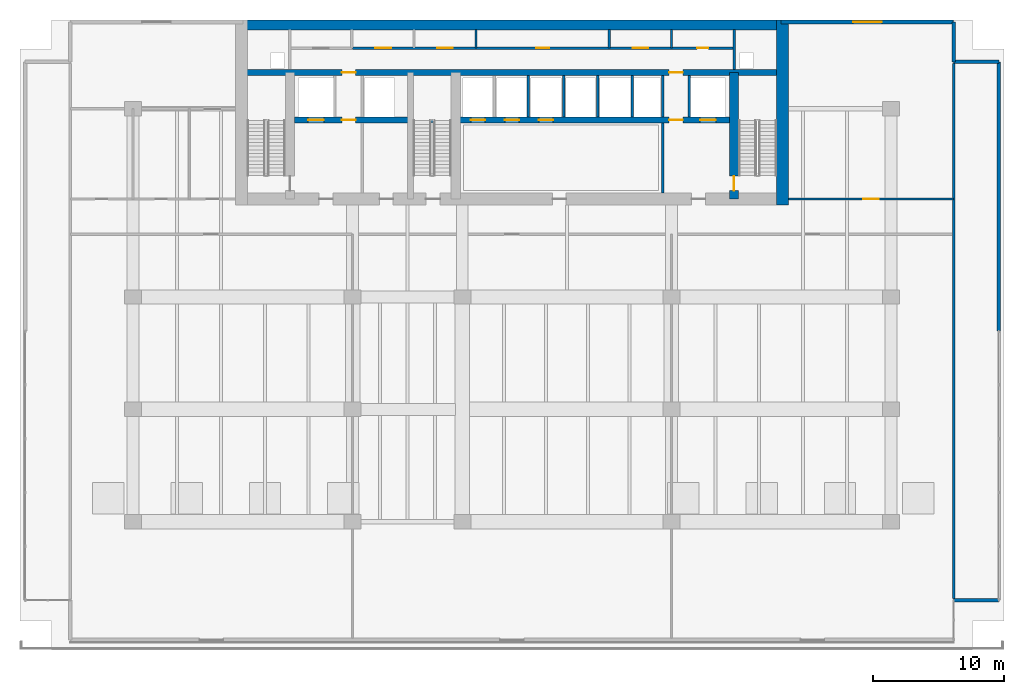
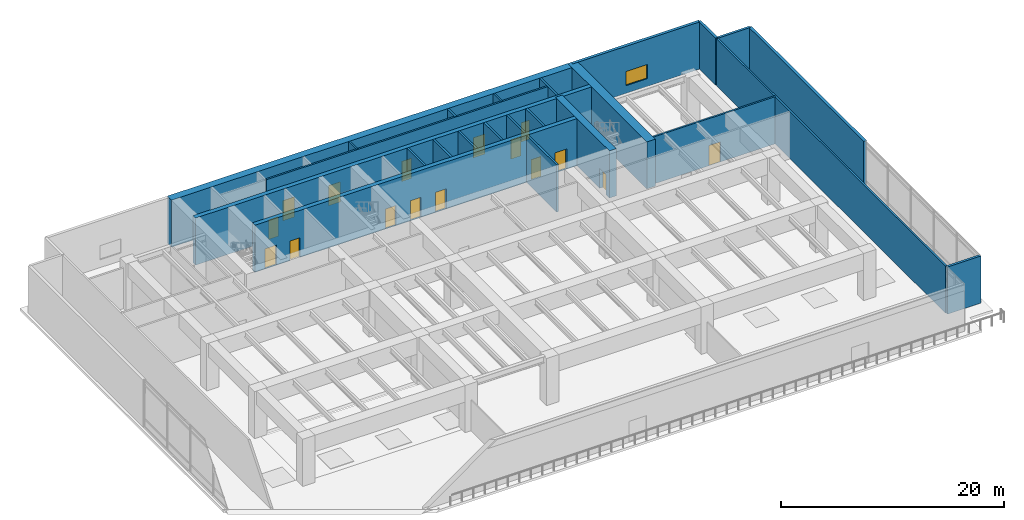
# One storey, part 8 of 12: 24 walls, 16 doors, 1 window, 17 openings.
"""IFC4 building model written with IfcOpenShell, lengths in metres."""

from ifc_helpers import new_model, si_unit, direction, frame, frame_2d, origin, place, context, subcontext, project, spatial, rectangle, extrude, material, layer, layer_set, type_object, element, fill, save


model = new_model("IFC4")

# Units and contexts
model_context = context("Model", 3, precision=1e-05, world=origin(), true_north=direction((0.0, 1.0)))
body_context = subcontext(model_context, "Body", "Model", "MODEL_VIEW")
ifc_project = project(units=[si_unit("LENGTHUNIT", "METRE"), si_unit("AREAUNIT", "SQUARE_METRE"), si_unit("VOLUMEUNIT", "CUBIC_METRE"), si_unit("PLANEANGLEUNIT", "RADIAN"), si_unit("MASSUNIT", "GRAM", prefix="KILO")], contexts=[model_context])

# Site, building, storey
site_placement = place(None, origin())
site = spatial("IfcSite", under=ifc_project, at=site_placement, CompositionType="ELEMENT")
building_placement = place(site_placement, origin())
building = spatial("IfcBuilding", under=site, at=building_placement, Name="Caelmar Bay Residences", CompositionType="ELEMENT")
storey_placement = place(building_placement, frame((0.0, 0.0, 24.60009765625)))
storey = spatial("IfcBuildingStorey", under=building, at=storey_placement, Name="L05", CompositionType="ELEMENT", Elevation=24.60009765625)

# Wall, opening, door
ifc_material_1 = material(Name="Concrete f'c 55 MPa (8,000 psi)", Category="concrete")
ifc_layer_1 = layer(ifc_material_1, 0.699951171875)
ifc_layer_set_1 = layer_set([ifc_layer_1], Name="Concrete f'c 55 MPa (8,000 psi)")
wall_type_1 = type_object("IfcWallType", Name="SW-COR-700", PredefinedType="SHEAR", material=ifc_layer_set_1)
wall_1_placement = place(storey_placement, frame((55.89990234375, 36.89990234375, 0.0), z_axis=(0.0, 0.0, 1.0), x_axis=(0.0, 1.0, 0.0)))
wall_1 = element("IfcWall", 1, at=wall_1_placement, inside=storey, type_object=wall_type_1, Name="L05 Core Structural Web Wall ST2W", PredefinedType="SHEAR", context=body_context, shape_type="SweptSolid", body=[
    extrude(rectangle(XDim=9.675048828125, YDim=0.699951171875, at=frame_2d((4.83740234375, 0.0))), origin(), (0.0, 0.0, 1.0), 5.14990234375),
])
opening_1_placement = place(wall_1_placement, frame((0.64990234375, 0.0, 0.0)))
opening_1 = element("IfcOpeningElement", 2, at=opening_1_placement, cuts=wall_1, Name="Opening D-L05-111", PredefinedType="OPENING", context=body_context, shape_type="SweptSolid", body=[
    extrude(rectangle(XDim=1.10009765625, YDim=2.14990234375, at=frame_2d((0.550048828125, 1.074951171875))), frame((0.0, 0.35986328125, 0.0), z_axis=(0.0, -1.0, 0.0), x_axis=(1.0, 0.0, 0.0)), (0.0, 0.0, 1.0), 0.719970703125),
])
ifc_material_2 = material(Name="Fire-rated steel and walnut architectural door assembly", Category="steel")
ifc_layer_2 = layer(ifc_material_2, 0.050048828125)
ifc_layer_set_2 = layer_set([ifc_layer_2], Name="Fire-rated steel and walnut architectural door assembly")
door_type_1 = type_object("IfcDoorType", Name="D-STAIR-1100", OperationType="NOTDEFINED", PredefinedType="DOOR", material=ifc_layer_set_2)
door_1_placement = place(opening_1_placement, origin())
door_1 = element("IfcDoor", 3, at=door_1_placement, inside=storey, type_object=door_type_1, Name="L05 Firefighting Lobby East Door", OperationType="SINGLE_SWING_RIGHT", OverallHeight=2.14990234375, OverallWidth=1.10009765625, PredefinedType="DOOR", context=body_context, shape_type="SweptSolid", body=[
    extrude(rectangle(XDim=1.10009765625, YDim=2.14990234375, at=frame_2d((0.550048828125, 1.074951171875))), frame((0.0, 0.02490234375, 0.0), z_axis=(0.0, -1.0, 0.0), x_axis=(1.0, 0.0, 0.0)), (0.0, 0.0, 1.0), 0.050048828125),
])
fill(opening_1, door_1)

# Walls
ifc_material_3 = material(Name="Concrete f'c 70 MPa (10,000 psi)", Category="concrete")
ifc_layer_3 = layer(ifc_material_3, 0.89990234375)
ifc_layer_set_3 = layer_set([ifc_layer_3], Name="Concrete f'c 70 MPa (10,000 psi)")
wall_type_2 = type_object("IfcWallType", Name="SW-COR-900", PredefinedType="SHEAR", material=ifc_layer_set_3)
wall_2_placement = place(storey_placement, frame((59.60009765625, 36.449951171875, 0.0), z_axis=(0.0, 0.0, 1.0), x_axis=(0.0, 1.0, 0.0)))
element("IfcWall", 4, at=wall_2_placement, inside=storey, type_object=wall_type_2, Name="L05 Rear Core East Shear Wall", PredefinedType="SHEAR", context=body_context, shape_type="SweptSolid", body=[
    extrude(rectangle(XDim=14.150146484375, YDim=0.89990234375, at=frame_2d((7.0751953125, 0.0))), origin(), (0.0, 0.0, 1.0), 5.14990234375),
])
ifc_layer_4 = layer(ifc_material_3, 0.75)
ifc_layer_set_4 = layer_set([ifc_layer_4], Name="Concrete f'c 70 MPa (10,000 psi)")
wall_type_3 = type_object("IfcWallType", Name="SW-CORN-750", PredefinedType="SHEAR", material=ifc_layer_set_4)
wall_3_placement = place(storey_placement, frame((17.75, 50.22509765625, 0.0), z_axis=(0.0, 0.0, 1.0), x_axis=(1.0, 0.0, 0.0)))
element("IfcWall", 5, at=wall_3_placement, inside=storey, type_object=wall_type_3, Name="L05 Rear Core North Shear Wall", PredefinedType="SHEAR", context=body_context, shape_type="SweptSolid", body=[
    extrude(rectangle(XDim=42.300048828125, YDim=0.75, at=frame_2d((21.14990234375, 0.0))), origin(), (0.0, 0.0, 1.0), 5.14990234375),
])

# Wall, openings, doors
ifc_layer_5 = layer(ifc_material_3, 0.449951171875)
ifc_layer_set_5 = layer_set([ifc_layer_5], Name="Concrete f'c 70 MPa (10,000 psi)")
wall_type_4 = type_object("IfcWallType", Name="SW-WEB-450", PredefinedType="SHEAR", material=ifc_layer_set_5)
wall_4_placement = place(storey_placement, frame((22.25, 42.949951171875, 0.0), z_axis=(0.0, 0.0, 1.0), x_axis=(1.0, 0.0, 0.0)))
wall_4 = element("IfcWall", 6, at=wall_4_placement, inside=storey, type_object=wall_type_4, Name="L05 Core Structural Web Wall LFR", PredefinedType="SHEAR", context=body_context, shape_type="SweptSolid", body=[
    extrude(rectangle(XDim=33.300048828125, YDim=0.449951171875, at=frame_2d((16.64990234375, 0.0))), origin(), (0.0, 0.0, 1.0), 5.14990234375),
])
opening_2_placement = place(wall_4_placement, frame((1.050048828125, 0.0, 0.0)))
opening_2 = element("IfcOpeningElement", 7, at=opening_2_placement, cuts=wall_4, Name="Opening LD2", PredefinedType="OPENING", context=body_context, shape_type="SweptSolid", body=[
    extrude(rectangle(XDim=1.199951171875, YDim=2.199951171875, at=frame_2d((0.60009765625, 1.10009765625))), frame((0.0, 0.23486328125, 0.0), z_axis=(0.0, -1.0, 0.0), x_axis=(1.0, 0.0, 0.0)), (0.0, 0.0, 1.0), 0.469970703125),
])
opening_3_placement = place(wall_4_placement, frame((31.050048828125, 0.0, 0.0)))
opening_3 = element("IfcOpeningElement", 8, at=opening_3_placement, cuts=wall_4, Name="Opening LD2", PredefinedType="OPENING", context=body_context, shape_type="SweptSolid", body=[
    extrude(rectangle(XDim=1.199951171875, YDim=2.199951171875, at=frame_2d((0.60009765625, 1.10009765625))), frame((0.0, 0.23486328125, 0.0), z_axis=(0.0, -1.0, 0.0), x_axis=(1.0, 0.0, 0.0)), (0.0, 0.0, 1.0), 0.469970703125),
])
opening_4_placement = place(wall_4_placement, frame((13.5, 0.0, 0.0)))
opening_4 = element("IfcOpeningElement", 9, at=opening_4_placement, cuts=wall_4, Name="Opening LD1", PredefinedType="OPENING", context=body_context, shape_type="SweptSolid", body=[
    extrude(rectangle(XDim=1.10009765625, YDim=2.199951171875, at=frame_2d((0.550048828125, 1.10009765625))), frame((0.0, 0.23486328125, 0.0), z_axis=(0.0, -1.0, 0.0), x_axis=(1.0, 0.0, 0.0)), (0.0, 0.0, 1.0), 0.469970703125),
])
opening_5_placement = place(wall_4_placement, frame((16.10009765625, 0.0, 0.0)))
opening_5 = element("IfcOpeningElement", 10, at=opening_5_placement, cuts=wall_4, Name="Opening LD1", PredefinedType="OPENING", context=body_context, shape_type="SweptSolid", body=[
    extrude(rectangle(XDim=1.10009765625, YDim=2.199951171875, at=frame_2d((0.550048828125, 1.10009765625))), frame((0.0, 0.23486328125, 0.0), z_axis=(0.0, -1.0, 0.0), x_axis=(1.0, 0.0, 0.0)), (0.0, 0.0, 1.0), 0.469970703125),
])
opening_6_placement = place(wall_4_placement, frame((18.699951171875, 0.0, 0.0)))
opening_6 = element("IfcOpeningElement", 11, at=opening_6_placement, cuts=wall_4, Name="Opening LD1", PredefinedType="OPENING", context=body_context, shape_type="SweptSolid", body=[
    extrude(rectangle(XDim=1.10009765625, YDim=2.199951171875, at=frame_2d((0.550048828125, 1.10009765625))), frame((0.0, 0.23486328125, 0.0), z_axis=(0.0, -1.0, 0.0), x_axis=(1.0, 0.0, 0.0)), (0.0, 0.0, 1.0), 0.469970703125),
])
opening_7_placement = place(wall_4_placement, frame((3.625, 0.0, 0.0)))
opening_7 = element("IfcOpeningElement", 12, at=opening_7_placement, cuts=wall_4, Name="Opening D-L05-109", PredefinedType="OPENING", context=body_context, shape_type="SweptSolid", body=[
    extrude(rectangle(XDim=1.050048828125, YDim=2.14990234375, at=frame_2d((0.52490234375, 1.074951171875))), frame((0.0, 0.23486328125, 0.0), z_axis=(0.0, -1.0, 0.0), x_axis=(1.0, 0.0, 0.0)), (0.0, 0.0, 1.0), 0.469970703125),
])
opening_8_placement = place(wall_4_placement, frame((28.675048828125, 0.0, 0.0)))
opening_8 = element("IfcOpeningElement", 13, at=opening_8_placement, cuts=wall_4, Name="Opening D-L05-112", PredefinedType="OPENING", context=body_context, shape_type="SweptSolid", body=[
    extrude(rectangle(XDim=1.050048828125, YDim=2.14990234375, at=frame_2d((0.52490234375, 1.074951171875))), frame((0.0, 0.23486328125, 0.0), z_axis=(0.0, -1.0, 0.0), x_axis=(1.0, 0.0, 0.0)), (0.0, 0.0, 1.0), 0.469970703125),
])
ifc_layer_6 = layer(ifc_material_2, 0.050048828125)
ifc_layer_set_6 = layer_set([ifc_layer_6], Name="Fire-rated steel and walnut architectural door assembly")
door_type_2 = type_object("IfcDoorType", Name="D-FSAE-1050", OperationType="NOTDEFINED", PredefinedType="DOOR", material=ifc_layer_set_6)
door_2_placement = place(opening_7_placement, origin())
door_2 = element("IfcDoor", 14, at=door_2_placement, inside=storey, type_object=door_type_2, Name="L05 Firefighting Lobby West Door", OperationType="SINGLE_SWING_RIGHT", OverallHeight=2.14990234375, OverallWidth=1.050048828125, PredefinedType="DOOR", context=body_context, shape_type="SweptSolid", body=[
    extrude(rectangle(XDim=1.050048828125, YDim=2.14990234375, at=frame_2d((0.52490234375, 1.074951171875))), frame((0.0, 0.02490234375, 0.0), z_axis=(0.0, -1.0, 0.0), x_axis=(1.0, 0.0, 0.0)), (0.0, 0.0, 1.0), 0.050048828125),
])
fill(opening_7, door_2)
door_3_placement = place(opening_8_placement, origin())
door_3 = element("IfcDoor", 15, at=door_3_placement, inside=storey, type_object=door_type_2, Name="L05 Firefighting Lobby East Door", OperationType="SINGLE_SWING_LEFT", OverallHeight=2.14990234375, OverallWidth=1.050048828125, PredefinedType="DOOR", context=body_context, shape_type="SweptSolid", body=[
    extrude(rectangle(XDim=1.050048828125, YDim=2.14990234375, at=frame_2d((0.52490234375, 1.074951171875))), frame((0.0, 0.02490234375, 0.0), z_axis=(0.0, -1.0, 0.0), x_axis=(1.0, 0.0, 0.0)), (0.0, 0.0, 1.0), 0.050048828125),
])
fill(opening_8, door_3)
ifc_material_4 = material(Name="Brushed bronze stainless-steel fire-rated lift landing doors", Category="steel")
ifc_layer_7 = layer(ifc_material_4, 0.050048828125)
ifc_layer_set_7 = layer_set([ifc_layer_7], Name="Brushed bronze stainless-steel fire-rated lift landing doors")
door_type_3 = type_object("IfcDoorType", Name="D-LND-1100", OperationType="DOUBLE_DOOR_SLIDING", PredefinedType="DOOR", material=ifc_layer_set_7)
door_4_placement = place(opening_4_placement, origin())
door_4 = element("IfcDoor", 16, at=door_4_placement, inside=storey, type_object=door_type_3, Name="L05 LP1 Sliding Landing Door", OperationType="DOUBLE_DOOR_SLIDING", OverallHeight=2.199951171875, OverallWidth=1.10009765625, PredefinedType="DOOR", context=body_context, shape_type="SweptSolid", body=[
    extrude(rectangle(XDim=1.10009765625, YDim=2.199951171875, at=frame_2d((0.550048828125, 1.10009765625))), frame((0.0, 0.02490234375, 0.0), z_axis=(0.0, -1.0, 0.0), x_axis=(1.0, 0.0, 0.0)), (0.0, 0.0, 1.0), 0.050048828125),
])
fill(opening_4, door_4)
door_5_placement = place(opening_5_placement, origin())
door_5 = element("IfcDoor", 17, at=door_5_placement, inside=storey, type_object=door_type_3, Name="L05 LP2 Sliding Landing Door", OperationType="DOUBLE_DOOR_SLIDING", OverallHeight=2.199951171875, OverallWidth=1.10009765625, PredefinedType="DOOR", context=body_context, shape_type="SweptSolid", body=[
    extrude(rectangle(XDim=1.10009765625, YDim=2.199951171875, at=frame_2d((0.550048828125, 1.10009765625))), frame((0.0, 0.02490234375, 0.0), z_axis=(0.0, -1.0, 0.0), x_axis=(1.0, 0.0, 0.0)), (0.0, 0.0, 1.0), 0.050048828125),
])
fill(opening_5, door_5)
door_6_placement = place(opening_6_placement, origin())
door_6 = element("IfcDoor", 18, at=door_6_placement, inside=storey, type_object=door_type_3, Name="L05 LP3 Sliding Landing Door", OperationType="DOUBLE_DOOR_SLIDING", OverallHeight=2.199951171875, OverallWidth=1.10009765625, PredefinedType="DOOR", context=body_context, shape_type="SweptSolid", body=[
    extrude(rectangle(XDim=1.10009765625, YDim=2.199951171875, at=frame_2d((0.550048828125, 1.10009765625))), frame((0.0, 0.02490234375, 0.0), z_axis=(0.0, -1.0, 0.0), x_axis=(1.0, 0.0, 0.0)), (0.0, 0.0, 1.0), 0.050048828125),
])
fill(opening_6, door_6)
ifc_material_5 = material(Name="Brushed stainless-steel FSAE sliding landing door", Category="steel")
ifc_layer_8 = layer(ifc_material_5, 0.050048828125)
ifc_layer_set_8 = layer_set([ifc_layer_8], Name="Brushed stainless-steel FSAE sliding landing door")
door_type_4 = type_object("IfcDoorType", Name="D-LND-1200", OperationType="DOUBLE_DOOR_SLIDING", PredefinedType="DOOR", material=ifc_layer_set_8)
door_7_placement = place(opening_2_placement, origin())
door_7 = element("IfcDoor", 19, at=door_7_placement, inside=storey, type_object=door_type_4, Name="L05 LF1 Sliding Landing Door", OperationType="DOUBLE_DOOR_SLIDING", OverallHeight=2.199951171875, OverallWidth=1.199951171875, PredefinedType="DOOR", context=body_context, shape_type="SweptSolid", body=[
    extrude(rectangle(XDim=1.199951171875, YDim=2.199951171875, at=frame_2d((0.60009765625, 1.10009765625))), frame((0.0, 0.02490234375, 0.0), z_axis=(0.0, -1.0, 0.0), x_axis=(1.0, 0.0, 0.0)), (0.0, 0.0, 1.0), 0.050048828125),
])
fill(opening_2, door_7)
door_8_placement = place(opening_3_placement, origin())
door_8 = element("IfcDoor", 20, at=door_8_placement, inside=storey, type_object=door_type_4, Name="L05 LF2 Sliding Landing Door", OperationType="DOUBLE_DOOR_SLIDING", OverallHeight=2.199951171875, OverallWidth=1.199951171875, PredefinedType="DOOR", context=body_context, shape_type="SweptSolid", body=[
    extrude(rectangle(XDim=1.199951171875, YDim=2.199951171875, at=frame_2d((0.60009765625, 1.10009765625))), frame((0.0, 0.02490234375, 0.0), z_axis=(0.0, -1.0, 0.0), x_axis=(1.0, 0.0, 0.0)), (0.0, 0.0, 1.0), 0.050048828125),
])
fill(opening_3, door_8)

wall_5_placement = place(storey_placement, frame((18.199951171875, 46.574951171875, 0.0), z_axis=(0.0, 0.0, 1.0), x_axis=(1.0, 0.0, 0.0)))
wall_5 = element("IfcWall", 21, at=wall_5_placement, inside=storey, type_object=wall_type_4, Name="L05 Core Structural Web Wall SRVS", PredefinedType="SHEAR", context=body_context, shape_type="SweptSolid", body=[
    extrude(rectangle(XDim=41.400146484375, YDim=0.449951171875, at=frame_2d((20.7001953125, 0.0))), origin(), (0.0, 0.0, 1.0), 5.14990234375),
])
opening_9_placement = place(wall_5_placement, frame((7.675048828125, 0.0, 0.0)))
opening_9 = element("IfcOpeningElement", 22, at=opening_9_placement, cuts=wall_5, Name="Opening D-L05-115", PredefinedType="OPENING", context=body_context, shape_type="SweptSolid", body=[
    extrude(rectangle(XDim=1.050048828125, YDim=2.14990234375, at=frame_2d((0.52490234375, 1.074951171875))), frame((0.0, 0.23486328125, 0.0), z_axis=(0.0, -1.0, 0.0), x_axis=(1.0, 0.0, 0.0)), (0.0, 0.0, 1.0), 0.469970703125),
])
opening_10_placement = place(wall_5_placement, frame((32.72509765625, 0.0, 0.0)))
opening_10 = element("IfcOpeningElement", 23, at=opening_10_placement, cuts=wall_5, Name="Opening D-L05-116", PredefinedType="OPENING", context=body_context, shape_type="SweptSolid", body=[
    extrude(rectangle(XDim=1.050048828125, YDim=2.14990234375, at=frame_2d((0.52490234375, 1.074951171875))), frame((0.0, 0.23486328125, 0.0), z_axis=(0.0, -1.0, 0.0), x_axis=(1.0, 0.0, 0.0)), (0.0, 0.0, 1.0), 0.469970703125),
])
door_9_placement = place(opening_9_placement, origin())
door_9 = element("IfcDoor", 24, at=door_9_placement, inside=storey, type_object=door_type_2, Name="L05 Core Service Corridor Door", OperationType="SINGLE_SWING_RIGHT", OverallHeight=2.14990234375, OverallWidth=1.050048828125, PredefinedType="DOOR", context=body_context, shape_type="SweptSolid", body=[
    extrude(rectangle(XDim=1.050048828125, YDim=2.14990234375, at=frame_2d((0.52490234375, 1.074951171875))), frame((0.0, 0.02490234375, 0.0), z_axis=(0.0, -1.0, 0.0), x_axis=(1.0, 0.0, 0.0)), (0.0, 0.0, 1.0), 0.050048828125),
])
fill(opening_9, door_9)
door_10_placement = place(opening_10_placement, origin())
door_10 = element("IfcDoor", 25, at=door_10_placement, inside=storey, type_object=door_type_2, Name="L05 Core Service Corridor Door", OperationType="SINGLE_SWING_LEFT", OverallHeight=2.14990234375, OverallWidth=1.050048828125, PredefinedType="DOOR", context=body_context, shape_type="SweptSolid", body=[
    extrude(rectangle(XDim=1.050048828125, YDim=2.14990234375, at=frame_2d((0.52490234375, 1.074951171875))), frame((0.0, 0.02490234375, 0.0), z_axis=(0.0, -1.0, 0.0), x_axis=(1.0, 0.0, 0.0)), (0.0, 0.0, 1.0), 0.050048828125),
])
fill(opening_10, door_10)

# Walls
ifc_material_6 = material(Name="Double-stud acoustic fire-rated gypsum partition 180 mm")
ifc_layer_9 = layer(ifc_material_6, 0.179931640625)
ifc_layer_set_9 = layer_set([ifc_layer_9], Name="Double-stud acoustic fire-rated gypsum partition 180 mm")
wall_type_5 = type_object("IfcWallType", Name="W-COR-200", PredefinedType="PARTITIONING", material=ifc_layer_set_9)
for number, where, z_axis, x_axis, name in (
    (26, (36.14990234375, 48.449951171875, 0.0), (0.0, 0.0, 1.0), (0.0, 1.0, 0.0), "L05 Partition Wall V011"),
    (27, (46.35009765625, 48.449951171875, 0.0), (0.0, 0.0, 1.0), (0.0, 1.0, 0.0), "L05 Partition Wall V016"),
    (28, (51.10009765625, 48.449951171875, 0.0), (0.0, 0.0, 1.0), (0.0, 1.0, 0.0), "L05 Partition Wall V021"),
):
    element("IfcWall", number, at=place(storey_placement, frame(where, z_axis=z_axis, x_axis=x_axis)), inside=storey, type_object=wall_type_5, Name=name, PredefinedType="PARTITIONING", context=body_context, shape_type="SweptSolid", body=[
        extrude(rectangle(XDim=1.405029296875, YDim=0.179931640625, at=frame_2d((0.70263671875, 0.0))), origin(), (0.0, 0.0, 1.0), 5.14990234375),
    ])
wall_6_placement = place(storey_placement, frame((72.699951171875, 6.320068359375, 0.0), z_axis=(0.0, 0.0, 1.0), x_axis=(0.0, 1.0, 0.0)))
element("IfcWall", 29, at=wall_6_placement, inside=storey, type_object=wall_type_5, Name="L05 Partition Wall V024", PredefinedType="PARTITIONING", context=body_context, shape_type="SweptSolid", body=[
    extrude(rectangle(XDim=40.9599609375, YDim=0.179931640625, at=frame_2d((20.47998046875, 0.0))), origin(), (0.0, 0.0, 1.0), 5.14990234375),
])

# Wall, opening, door
wall_7_placement = place(storey_placement, frame((60.054931640625, 36.89990234375, 0.0), z_axis=(0.0, 0.0, 1.0), x_axis=(1.0, 0.0, 0.0)))
wall_7 = element("IfcWall", 30, at=wall_7_placement, inside=storey, type_object=wall_type_5, Name="L05 Partition Wall H028", PredefinedType="PARTITIONING", context=body_context, shape_type="SweptSolid", body=[
    extrude(rectangle(XDim=12.64501953125, YDim=0.179931640625, at=frame_2d((6.322509765625, 0.0))), origin(), (0.0, 0.0, 1.0), 5.14990234375),
])
opening_11_placement = place(wall_7_placement, frame((5.722412109375, 0.0, 0.0)))
opening_11 = element("IfcOpeningElement", 31, at=opening_11_placement, cuts=wall_7, Name="Opening D-L05-129", PredefinedType="OPENING", context=body_context, shape_type="SweptSolid", body=[
    extrude(rectangle(XDim=1.199951171875, YDim=2.199951171875, at=frame_2d((0.60009765625, 1.10009765625))), frame((0.0, 0.099853515625, 0.0), z_axis=(0.0, -1.0, 0.0), x_axis=(1.0, 0.0, 0.0)), (0.0, 0.0, 1.0), 0.199951171875),
])
ifc_layer_10 = layer(ifc_material_2, 0.050048828125)
ifc_layer_set_10 = layer_set([ifc_layer_10], Name="Fire-rated steel and walnut architectural door assembly")
door_type_5 = type_object("IfcDoorType", Name="D-PLANT-1200", OperationType="NOTDEFINED", PredefinedType="DOOR", material=ifc_layer_set_10)
door_11_placement = place(opening_11_placement, origin())
door_11 = element("IfcDoor", 32, at=door_11_placement, inside=storey, type_object=door_type_5, Name="L05 Podium L05 East Fan Plant Room Door", OperationType="SINGLE_SWING_RIGHT", OverallHeight=2.199951171875, OverallWidth=1.199951171875, PredefinedType="DOOR", context=body_context, shape_type="SweptSolid", body=[
    extrude(rectangle(XDim=1.199951171875, YDim=2.199951171875, at=frame_2d((0.60009765625, 1.10009765625))), frame((0.0, 0.02490234375, 0.0), z_axis=(0.0, -1.0, 0.0), x_axis=(1.0, 0.0, 0.0)), (0.0, 0.0, 1.0), 0.050048828125),
])
fill(opening_11, door_11)

# Wall, openings, doors
wall_8_placement = place(storey_placement, frame((26.699951171875, 48.449951171875, 0.0), z_axis=(0.0, 0.0, 1.0), x_axis=(1.0, 0.0, 0.0)))
wall_8 = element("IfcWall", 33, at=wall_8_placement, inside=storey, type_object=wall_type_5, Name="L05 Partition Wall H031", PredefinedType="PARTITIONING", context=body_context, shape_type="SweptSolid", body=[
    extrude(rectangle(XDim=29.199951171875, YDim=0.179931640625, at=frame_2d((14.60009765625, 0.0))), origin(), (0.0, 0.0, 1.0), 5.14990234375),
])
opening_12_placement = place(wall_8_placement, frame((1.75, 0.0, 0.0)))
opening_12 = element("IfcOpeningElement", 34, at=opening_12_placement, cuts=wall_8, Name="Opening D-L05-118", PredefinedType="OPENING", context=body_context, shape_type="SweptSolid", body=[
    extrude(rectangle(XDim=1.199951171875, YDim=2.199951171875, at=frame_2d((0.60009765625, 1.10009765625))), frame((0.0, 0.099853515625, 0.0), z_axis=(0.0, -1.0, 0.0), x_axis=(1.0, 0.0, 0.0)), (0.0, 0.0, 1.0), 0.199951171875),
])
opening_13_placement = place(wall_8_placement, frame((6.47509765625, 0.0, 0.0)))
opening_13 = element("IfcOpeningElement", 35, at=opening_13_placement, cuts=wall_8, Name="Opening D-L05-119", PredefinedType="OPENING", context=body_context, shape_type="SweptSolid", body=[
    extrude(rectangle(XDim=1.199951171875, YDim=2.199951171875, at=frame_2d((0.60009765625, 1.10009765625))), frame((0.0, 0.099853515625, 0.0), z_axis=(0.0, -1.0, 0.0), x_axis=(1.0, 0.0, 0.0)), (0.0, 0.0, 1.0), 0.199951171875),
])
opening_14_placement = place(wall_8_placement, frame((14.050048828125, 0.0, 0.0)))
opening_14 = element("IfcOpeningElement", 36, at=opening_14_placement, cuts=wall_8, Name="Opening D-L05-120", PredefinedType="OPENING", context=body_context, shape_type="SweptSolid", body=[
    extrude(rectangle(XDim=1.0, YDim=2.199951171875, at=frame_2d((0.5, 1.10009765625))), frame((0.0, 0.099853515625, 0.0), z_axis=(0.0, -1.0, 0.0), x_axis=(1.0, 0.0, 0.0)), (0.0, 0.0, 1.0), 0.199951171875),
])
opening_15_placement = place(wall_8_placement, frame((21.425048828125, 0.0, 0.0)))
opening_15 = element("IfcOpeningElement", 37, at=opening_15_placement, cuts=wall_8, Name="Opening D-L05-121", PredefinedType="OPENING", context=body_context, shape_type="SweptSolid", body=[
    extrude(rectangle(XDim=1.199951171875, YDim=2.199951171875, at=frame_2d((0.60009765625, 1.10009765625))), frame((0.0, 0.099853515625, 0.0), z_axis=(0.0, -1.0, 0.0), x_axis=(1.0, 0.0, 0.0)), (0.0, 0.0, 1.0), 0.199951171875),
])
opening_16_placement = place(wall_8_placement, frame((26.375, 0.0, 0.0)))
opening_16 = element("IfcOpeningElement", 38, at=opening_16_placement, cuts=wall_8, Name="Opening D-L05-122", PredefinedType="OPENING", context=body_context, shape_type="SweptSolid", body=[
    extrude(rectangle(XDim=0.85009765625, YDim=2.10009765625, at=frame_2d((0.425048828125, 1.050048828125))), frame((0.0, 0.099853515625, 0.0), z_axis=(0.0, -1.0, 0.0), x_axis=(1.0, 0.0, 0.0)), (0.0, 0.0, 1.0), 0.199951171875),
])
ifc_layer_11 = layer(ifc_material_2, 0.050048828125)
ifc_layer_set_11 = layer_set([ifc_layer_11], Name="Fire-rated steel and walnut architectural door assembly")
door_type_6 = type_object("IfcDoorType", Name="D-CORE-850", OperationType="NOTDEFINED", PredefinedType="DOOR", material=ifc_layer_set_11)
door_12_placement = place(opening_16_placement, origin())
door_12 = element("IfcDoor", 39, at=door_12_placement, inside=storey, type_object=door_type_6, Name="L05 Staff Restroom Door", OperationType="SINGLE_SWING_LEFT", OverallHeight=2.10009765625, OverallWidth=0.85009765625, PredefinedType="DOOR", context=body_context, shape_type="SweptSolid", body=[
    extrude(rectangle(XDim=0.85009765625, YDim=2.10009765625, at=frame_2d((0.425048828125, 1.050048828125))), frame((0.0, 0.02490234375, 0.0), z_axis=(0.0, -1.0, 0.0), x_axis=(1.0, 0.0, 0.0)), (0.0, 0.0, 1.0), 0.050048828125),
])
fill(opening_16, door_12)
door_13_placement = place(opening_12_placement, origin())
door_13 = element("IfcDoor", 40, at=door_13_placement, inside=storey, type_object=door_type_5, Name="L05 Water Meter Closet Door", OperationType="SINGLE_SWING_LEFT", OverallHeight=2.199951171875, OverallWidth=1.199951171875, PredefinedType="DOOR", context=body_context, shape_type="SweptSolid", body=[
    extrude(rectangle(XDim=1.199951171875, YDim=2.199951171875, at=frame_2d((0.60009765625, 1.10009765625))), frame((0.0, 0.02490234375, 0.0), z_axis=(0.0, -1.0, 0.0), x_axis=(1.0, 0.0, 0.0)), (0.0, 0.0, 1.0), 0.050048828125),
])
fill(opening_12, door_13)
door_14_placement = place(opening_13_placement, origin())
door_14 = element("IfcDoor", 41, at=door_14_placement, inside=storey, type_object=door_type_5, Name="L05 Low-Voltage Data Closet Door", OperationType="SINGLE_SWING_RIGHT", OverallHeight=2.199951171875, OverallWidth=1.199951171875, PredefinedType="DOOR", context=body_context, shape_type="SweptSolid", body=[
    extrude(rectangle(XDim=1.199951171875, YDim=2.199951171875, at=frame_2d((0.60009765625, 1.10009765625))), frame((0.0, 0.02490234375, 0.0), z_axis=(0.0, -1.0, 0.0), x_axis=(1.0, 0.0, 0.0)), (0.0, 0.0, 1.0), 0.050048828125),
])
fill(opening_13, door_14)
door_15_placement = place(opening_15_placement, origin())
door_15 = element("IfcDoor", 42, at=door_15_placement, inside=storey, type_object=door_type_5, Name="L05 Valet Trunk Closet Door", OperationType="SINGLE_SWING_RIGHT", OverallHeight=2.199951171875, OverallWidth=1.199951171875, PredefinedType="DOOR", context=body_context, shape_type="SweptSolid", body=[
    extrude(rectangle(XDim=1.199951171875, YDim=2.199951171875, at=frame_2d((0.60009765625, 1.10009765625))), frame((0.0, 0.02490234375, 0.0), z_axis=(0.0, -1.0, 0.0), x_axis=(1.0, 0.0, 0.0)), (0.0, 0.0, 1.0), 0.050048828125),
])
fill(opening_15, door_15)
ifc_layer_12 = layer(ifc_material_2, 0.050048828125)
ifc_layer_set_12 = layer_set([ifc_layer_12], Name="Fire-rated steel and walnut architectural door assembly")
door_type_7 = type_object("IfcDoorType", Name="D-UNIT-1000", OperationType="NOTDEFINED", PredefinedType="DOOR", material=ifc_layer_set_12)
door_16_placement = place(opening_14_placement, origin())
door_16 = element("IfcDoor", 43, at=door_16_placement, inside=storey, type_object=door_type_7, Name="L05 Mail Sorting Office Door", OperationType="SINGLE_SWING_LEFT", OverallHeight=2.199951171875, OverallWidth=1.0, PredefinedType="DOOR", context=body_context, shape_type="SweptSolid", body=[
    extrude(rectangle(XDim=1.0, YDim=2.199951171875, at=frame_2d((0.5, 1.10009765625))), frame((0.0, 0.02490234375, 0.0), z_axis=(0.0, -1.0, 0.0), x_axis=(1.0, 0.0, 0.0)), (0.0, 0.0, 1.0), 0.050048828125),
])
fill(opening_14, door_16)

# Walls
ifc_material_7 = material(Name="Precast concrete f'c 40 MPa (6,000 psi)", Category="concrete")
ifc_layer_13 = layer(ifc_material_7, 0.25)
ifc_layer_set_13 = layer_set([ifc_layer_13], Name="Precast concrete f'c 40 MPa (6,000 psi)")
wall_type_6 = type_object("IfcWallType", Name="W-EXT-250", PredefinedType="ELEMENTEDWALL", material=ifc_layer_set_13)
wall_9_placement = place(storey_placement, frame((72.699951171875, 6.199951171875, 0.0), z_axis=(0.0, 0.0, 1.0), x_axis=(1.0, 0.0, 0.0)))
element("IfcWall", 44, at=wall_9_placement, inside=storey, type_object=wall_type_6, Name="L05 SE Notch Return Wall", PredefinedType="ELEMENTEDWALL", context=body_context, shape_type="SweptSolid", body=[
    extrude(rectangle(XDim=3.449951171875, YDim=0.25, at=frame_2d((1.72509765625, 0.0))), origin(), (0.0, 0.0, 1.0), 5.14990234375),
])
wall_10_placement = place(storey_placement, frame((72.699951171875, 50.449951171875, 0.0), z_axis=(0.0, 0.0, 1.0), x_axis=(0.0, -1.0, 0.0)))
element("IfcWall", 45, at=wall_10_placement, inside=storey, type_object=wall_type_6, Name="L05 NNE-V Notch Wall", PredefinedType="ELEMENTEDWALL", context=body_context, shape_type="SweptSolid", body=[
    extrude(rectangle(XDim=3.050048828125, YDim=0.25, at=frame_2d((1.52490234375, 0.0))), origin(), (0.0, 0.0, 1.0), 5.14990234375),
])
wall_11_placement = place(storey_placement, frame((72.699951171875, 47.39990234375, 0.0), z_axis=(0.0, 0.0, 1.0), x_axis=(1.0, 0.0, 0.0)))
element("IfcWall", 46, at=wall_11_placement, inside=storey, type_object=wall_type_6, Name="L05 NNE-H Notch Wall", PredefinedType="ELEMENTEDWALL", context=body_context, shape_type="SweptSolid", body=[
    extrude(rectangle(XDim=3.449951171875, YDim=0.25, at=frame_2d((1.72509765625, 0.0))), origin(), (0.0, 0.0, 1.0), 5.14990234375),
])
ifc_layer_14 = layer(ifc_material_7, 0.300048828125)
ifc_layer_set_14 = layer_set([ifc_layer_14], Name="Precast concrete f'c 40 MPa (6,000 psi)")
wall_type_7 = type_object("IfcWallType", Name="W-EXT-300", PredefinedType="STANDARD", material=ifc_layer_set_14)
wall_12_placement = place(storey_placement, frame((76.14990234375, 47.39990234375, 0.0), z_axis=(0.0, 0.0, 1.0), x_axis=(0.0, -1.0, 0.0)))
element("IfcWall", 47, at=wall_12_placement, inside=storey, type_object=wall_type_7, Name="L05 East Rear Exterior Wall", PredefinedType="STANDARD", context=body_context, shape_type="SweptSolid", body=[
    extrude(rectangle(XDim=20.599853515625, YDim=0.300048828125, at=frame_2d((10.2998046875, 0.0))), origin(), (0.0, 0.0, 1.0), 5.14990234375),
])

# Wall, opening, window
wall_13_placement = place(storey_placement, frame((59.5, 50.449951171875, 0.0), z_axis=(0.0, 0.0, 1.0), x_axis=(1.0, 0.0, 0.0)))
wall_13 = element("IfcWall", 48, at=wall_13_placement, inside=storey, type_object=wall_type_7, Name="L05 North-East Wing Exterior Wall", PredefinedType="STANDARD", context=body_context, shape_type="SweptSolid", body=[
    extrude(rectangle(XDim=13.199951171875, YDim=0.300048828125, at=frame_2d((6.60009765625, 0.0))), origin(), (0.0, 0.0, 1.0), 5.14990234375),
])
opening_17_placement = place(wall_13_placement, frame((5.5, 0.0, 0.85009765625)))
opening_17 = element("IfcOpeningElement", 49, at=opening_17_placement, cuts=wall_13, Name="Opening WN2", PredefinedType="OPENING", context=body_context, shape_type="SweptSolid", body=[
    extrude(rectangle(XDim=2.199951171875, YDim=1.550048828125, at=frame_2d((1.10009765625, 0.77490234375))), frame((0.0, 0.159912109375, 0.0), z_axis=(0.0, -1.0, 0.0), x_axis=(1.0, 0.0, 0.0)), (0.0, 0.0, 1.0), 0.320068359375),
])
ifc_material_8 = material(Name="Bronze aluminium frame with laminated low-E glass", Category="aluminium")
ifc_layer_15 = layer(ifc_material_8, 0.06005859375)
ifc_layer_set_15 = layer_set([ifc_layer_15], Name="Bronze aluminium frame with laminated low-E glass")
window_type = type_object("IfcWindowType", Name="WIN-BR-2200", PartitioningType="SINGLE_PANEL", PredefinedType="WINDOW", material=ifc_layer_set_15)
window_placement = place(opening_17_placement, origin())
window = element("IfcWindow", 50, at=window_placement, inside=storey, type_object=window_type, Name="L05 North-East Studio Window", OverallHeight=1.550048828125, OverallWidth=2.199951171875, PartitioningType="SINGLE_PANEL", PredefinedType="WINDOW", context=body_context, shape_type="SweptSolid", body=[
    extrude(rectangle(XDim=2.199951171875, YDim=1.550048828125, at=frame_2d((1.10009765625, 0.77490234375))), frame((0.0, 0.030029296875, 0.0), z_axis=(0.0, -1.0, 0.0), x_axis=(1.0, 0.0, 0.0)), (0.0, 0.0, 1.0), 0.06005859375),
])
fill(opening_17, window)

# Walls
ifc_material_9 = material(Name="Fire-rated masonry and gypsum shaftliner assembly 200 mm", Category="masonry")
ifc_layer_16 = layer(ifc_material_9, 0.199951171875)
ifc_layer_set_16 = layer_set([ifc_layer_16], Name="Fire-rated masonry and gypsum shaftliner assembly 200 mm")
wall_type_8 = type_object("IfcWallType", Name="W-FSAE-200", PredefinedType="PARTITIONING", material=ifc_layer_set_16)
for number, where, z_axis, x_axis, name in (
    (51, (40.14990234375, 43.169921875, 0.0), (0.0, 0.0, 1.0), (0.0, 1.0, 0.0), "L05 Partition Wall V013"),
    (52, (42.85009765625, 43.169921875, 0.0), (0.0, 0.0, 1.0), (0.0, 1.0, 0.0), "L05 Partition Wall V014"),
    (53, (45.449951171875, 43.169921875, 0.0), (0.0, 0.0, 1.0), (0.0, 1.0, 0.0), "L05 Partition Wall V015"),
    (54, (48.10009765625, 43.169921875, 0.0), (0.0, 0.0, 1.0), (0.0, 1.0, 0.0), "L05 Partition Wall V017"),
):
    element("IfcWall", number, at=place(storey_placement, frame(where, z_axis=z_axis, x_axis=x_axis)), inside=storey, type_object=wall_type_8, Name=name, PredefinedType="PARTITIONING", context=body_context, shape_type="SweptSolid", body=[
        extrude(rectangle(XDim=3.18505859375, YDim=0.199951171875, at=frame_2d((1.592529296875, 0.0))), origin(), (0.0, 0.0, 1.0), 5.14990234375),
    ])
wall_14_placement = place(storey_placement, frame((50.449951171875, 37.344970703125, 0.0), z_axis=(0.0, 0.0, 1.0), x_axis=(0.0, 1.0, 0.0)))
element("IfcWall", 55, at=wall_14_placement, inside=storey, type_object=wall_type_8, Name="L05 Partition Wall V018", PredefinedType="PARTITIONING", context=body_context, shape_type="SweptSolid", body=[
    extrude(rectangle(XDim=5.385009765625, YDim=0.199951171875, at=frame_2d((2.6923828125, 0.0))), origin(), (0.0, 0.0, 1.0), 5.14990234375),
])
for number, where, z_axis, x_axis, name in (
    (56, (50.449951171875, 43.169921875, 0.0), (0.0, 0.0, 1.0), (0.0, 1.0, 0.0), "L05 Partition Wall V019"),
    (57, (52.449951171875, 43.169921875, 0.0), (0.0, 0.0, 1.0), (0.0, 1.0, 0.0), "L05 Partition Wall V022"),
):
    element("IfcWall", number, at=place(storey_placement, frame(where, z_axis=z_axis, x_axis=x_axis)), inside=storey, type_object=wall_type_8, Name=name, PredefinedType="PARTITIONING", context=body_context, shape_type="SweptSolid", body=[
        extrude(rectangle(XDim=3.18505859375, YDim=0.199951171875, at=frame_2d((1.592529296875, 0.0))), origin(), (0.0, 0.0, 1.0), 5.14990234375),
    ])
wall_15_placement = place(storey_placement, frame((55.89990234375, 46.794921875, 0.0), z_axis=(0.0, 0.0, 1.0), x_axis=(0.0, 1.0, 0.0)))
element("IfcWall", 58, at=wall_15_placement, inside=storey, type_object=wall_type_8, Name="L05 Partition Wall V023", PredefinedType="PARTITIONING", context=body_context, shape_type="SweptSolid", body=[
    extrude(rectangle(XDim=3.06005859375, YDim=0.199951171875, at=frame_2d((1.530029296875, 0.0))), origin(), (0.0, 0.0, 1.0), 5.14990234375),
])

save(model, "model.ifc")
